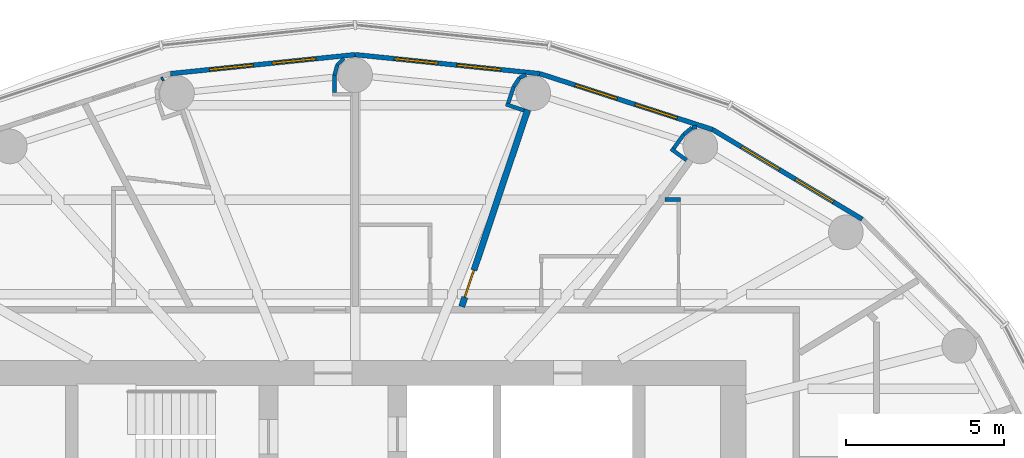
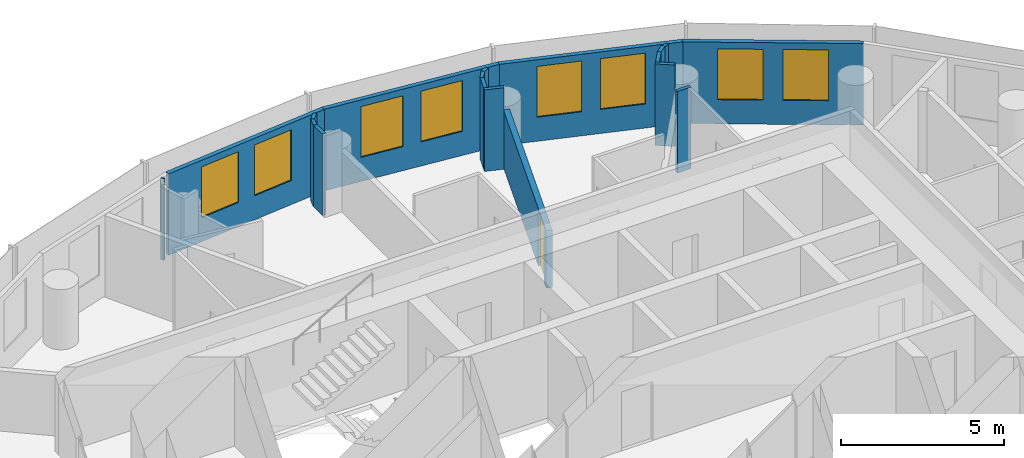
# One storey, part 12 of 14: 18 walls, 8 windows, 1 door, 9 openings.
"""IFC4 building model written with IfcOpenShell, lengths in metres."""

from ifc_helpers import new_model, si_unit, direction, frame, frame_2d, origin, place, context, subcontext, project, spatial, rectangle, extrude, material, layer, layer_set, type_object, element, fill, save


model = new_model("IFC4")

# Units and contexts
model_context = context("Model", 3, precision=1e-05, world=origin(), true_north=direction((0.0, 1.0)))
body_context = subcontext(model_context, "Body", "Model", "MODEL_VIEW")
ifc_project = project(units=[si_unit("LENGTHUNIT", "METRE"), si_unit("AREAUNIT", "SQUARE_METRE"), si_unit("VOLUMEUNIT", "CUBIC_METRE"), si_unit("PLANEANGLEUNIT", "RADIAN"), si_unit("MASSUNIT", "GRAM", prefix="KILO")], contexts=[model_context])

# Site, building, storey
site_placement = place(None, origin())
site = spatial("IfcSite", under=ifc_project, at=site_placement, CompositionType="ELEMENT")
building_placement = place(site_placement, origin())
building = spatial("IfcBuilding", under=site, at=building_placement, Name="Hankou Lantern Tower", CompositionType="ELEMENT")
storey_placement = place(building_placement, frame((0.0, 0.0, 183.0)))
storey = spatial("IfcBuildingStorey", under=building, at=storey_placement, Name="L49", CompositionType="ELEMENT", Elevation=183.0)

# Wall, openings, windows
ifc_material_1 = material(Name="Aluminium spandrel panel on steel studs", Category="steel")
ifc_layer_1 = layer(ifc_material_1, 0.14990234375)
ifc_layer_set_1 = layer_set([ifc_layer_1], Name="Aluminium spandrel panel on steel studs")
wall_type_1 = type_object("IfcWallType", Name="EW1 INNER SKIN WALL 150", PredefinedType="ELEMENTEDWALL", material=ifc_layer_set_1)
wall_1_placement = place(storey_placement, frame((16.0947265625, 12.875732421875, 0.0), z_axis=(0.0, 0.0, 1.0), x_axis=(-0.857695199231, 0.514158482587, 0.0)))
wall_1 = element("IfcWall", 1, at=wall_1_placement, inside=storey, type_object=wall_type_1, Name="Inner skin R04-R05 L49", PredefinedType="ELEMENTEDWALL", context=body_context, shape_type="SweptSolid", body=[
    extrude(rectangle(XDim=5.5361328125, YDim=0.14990234375, at=frame_2d((2.76806640625, 0.0))), origin(), (0.0, 0.0, 1.0), 3.050048828125),
])
opening_1_placement = place(wall_1_placement, frame((1.068115234375, 0.0, 0.89990234375)))
opening_1 = element("IfcOpeningElement", 2, at=opening_1_placement, cuts=wall_1, Name="Opening W3", PredefinedType="OPENING", context=body_context, shape_type="SweptSolid", body=[
    extrude(rectangle(XDim=1.39990234375, YDim=1.89990234375, at=frame_2d((0.699951171875, 0.949951171875))), frame((0.0, 0.0849609375, 0.0), z_axis=(0.0, -1.0, 0.0), x_axis=(1.0, 0.0, 0.0)), (0.0, 0.0, 1.0), 0.169921875),
])
opening_2_placement = place(wall_1_placement, frame((3.068115234375, 0.0, 0.89990234375)))
opening_2 = element("IfcOpeningElement", 3, at=opening_2_placement, cuts=wall_1, Name="Opening W3", PredefinedType="OPENING", context=body_context, shape_type="SweptSolid", body=[
    extrude(rectangle(XDim=1.39990234375, YDim=1.89990234375, at=frame_2d((0.699951171875, 0.949951171875))), frame((0.0, 0.0849609375, 0.0), z_axis=(0.0, -1.0, 0.0), x_axis=(1.0, 0.0, 0.0)), (0.0, 0.0, 1.0), 0.169921875),
])
ifc_material_2 = material(Name="Aluminium framed double glazed window", Category="aluminium")
window_type = type_object("IfcWindowType", Name="W3 GUEST ROOM WINDOW 1400X1900", PartitioningType="DOUBLE_PANEL_VERTICAL", PredefinedType="WINDOW", material=ifc_material_2)
window_1_placement = place(opening_1_placement, origin())
window_1 = element("IfcWindow", 4, at=window_1_placement, inside=storey, type_object=window_type, Name="Window R04.1 L49", OverallHeight=1.89990234375, OverallWidth=1.39990234375, PartitioningType="SINGLE_PANEL", PredefinedType="WINDOW", context=body_context, shape_type="SweptSolid", body=[
    extrude(rectangle(XDim=1.39990234375, YDim=1.89990234375, at=frame_2d((0.699951171875, 0.949951171875))), frame((0.0, 0.030029296875, 0.0), z_axis=(0.0, -1.0, 0.0), x_axis=(1.0, 0.0, 0.0)), (0.0, 0.0, 1.0), 0.06005859375),
])
fill(opening_1, window_1)
window_2_placement = place(opening_2_placement, origin())
window_2 = element("IfcWindow", 5, at=window_2_placement, inside=storey, type_object=window_type, Name="Window R04.2 L49", OverallHeight=1.89990234375, OverallWidth=1.39990234375, PartitioningType="SINGLE_PANEL", PredefinedType="WINDOW", context=body_context, shape_type="SweptSolid", body=[
    extrude(rectangle(XDim=1.39990234375, YDim=1.89990234375, at=frame_2d((0.699951171875, 0.949951171875))), frame((0.0, 0.030029296875, 0.0), z_axis=(0.0, -1.0, 0.0), x_axis=(1.0, 0.0, 0.0)), (0.0, 0.0, 1.0), 0.06005859375),
])
fill(opening_2, window_2)

wall_2_placement = place(storey_placement, frame((11.346435546875, 15.72216796875, 0.0), z_axis=(0.0, 0.0, 1.0), x_axis=(-0.951432482129, 0.307857486429, 0.0)))
wall_2 = element("IfcWall", 6, at=wall_2_placement, inside=storey, type_object=wall_type_1, Name="Inner skin R05-R06 L49", PredefinedType="ELEMENTEDWALL", context=body_context, shape_type="SweptSolid", body=[
    extrude(rectangle(XDim=5.76611328125, YDim=0.14990234375, at=frame_2d((2.883056640625, 0.0))), origin(), (0.0, 0.0, 1.0), 3.050048828125),
])
opening_3_placement = place(wall_2_placement, frame((1.18310546875, 0.0, 0.89990234375)))
opening_3 = element("IfcOpeningElement", 7, at=opening_3_placement, cuts=wall_2, Name="Opening W3", PredefinedType="OPENING", context=body_context, shape_type="SweptSolid", body=[
    extrude(rectangle(XDim=1.39990234375, YDim=1.89990234375, at=frame_2d((0.699951171875, 0.949951171875))), frame((0.0, 0.0849609375, 0.0), z_axis=(0.0, -1.0, 0.0), x_axis=(1.0, 0.0, 0.0)), (0.0, 0.0, 1.0), 0.169921875),
])
opening_4_placement = place(wall_2_placement, frame((3.18310546875, 0.0, 0.89990234375)))
opening_4 = element("IfcOpeningElement", 8, at=opening_4_placement, cuts=wall_2, Name="Opening W3", PredefinedType="OPENING", context=body_context, shape_type="SweptSolid", body=[
    extrude(rectangle(XDim=1.39990234375, YDim=1.89990234375, at=frame_2d((0.699951171875, 0.949951171875))), frame((0.0, 0.0849609375, 0.0), z_axis=(0.0, -1.0, 0.0), x_axis=(1.0, 0.0, 0.0)), (0.0, 0.0, 1.0), 0.169921875),
])
window_3_placement = place(opening_3_placement, origin())
window_3 = element("IfcWindow", 9, at=window_3_placement, inside=storey, type_object=window_type, Name="Window R05.1 L49", OverallHeight=1.89990234375, OverallWidth=1.39990234375, PartitioningType="SINGLE_PANEL", PredefinedType="WINDOW", context=body_context, shape_type="SweptSolid", body=[
    extrude(rectangle(XDim=1.39990234375, YDim=1.89990234375, at=frame_2d((0.699951171875, 0.949951171875))), frame((0.0, 0.030029296875, 0.0), z_axis=(0.0, -1.0, 0.0), x_axis=(1.0, 0.0, 0.0)), (0.0, 0.0, 1.0), 0.06005859375),
])
fill(opening_3, window_3)
window_4_placement = place(opening_4_placement, origin())
window_4 = element("IfcWindow", 10, at=window_4_placement, inside=storey, type_object=window_type, Name="Window R05.2 L49", OverallHeight=1.89990234375, OverallWidth=1.39990234375, PartitioningType="SINGLE_PANEL", PredefinedType="WINDOW", context=body_context, shape_type="SweptSolid", body=[
    extrude(rectangle(XDim=1.39990234375, YDim=1.89990234375, at=frame_2d((0.699951171875, 0.949951171875))), frame((0.0, 0.030029296875, 0.0), z_axis=(0.0, -1.0, 0.0), x_axis=(1.0, 0.0, 0.0)), (0.0, 0.0, 1.0), 0.06005859375),
])
fill(opening_4, window_4)

wall_3_placement = place(storey_placement, frame((5.8603515625, 17.497314453125, 0.0), z_axis=(0.0, 0.0, 1.0), x_axis=(-0.994751738032, 0.102318032045, 0.0)))
wall_3 = element("IfcWall", 11, at=wall_3_placement, inside=storey, type_object=wall_type_1, Name="Inner skin R06-R07 L49", PredefinedType="ELEMENTEDWALL", context=body_context, shape_type="SweptSolid", body=[
    extrude(rectangle(XDim=5.891357421875, YDim=0.14990234375, at=frame_2d((2.94580078125, 0.0))), origin(), (0.0, 0.0, 1.0), 3.050048828125),
])
opening_5_placement = place(wall_3_placement, frame((1.24560546875, 0.0, 0.89990234375)))
opening_5 = element("IfcOpeningElement", 12, at=opening_5_placement, cuts=wall_3, Name="Opening W3", PredefinedType="OPENING", context=body_context, shape_type="SweptSolid", body=[
    extrude(rectangle(XDim=1.39990234375, YDim=1.89990234375, at=frame_2d((0.699951171875, 0.949951171875))), frame((0.0, 0.0849609375, 0.0), z_axis=(0.0, -1.0, 0.0), x_axis=(1.0, 0.0, 0.0)), (0.0, 0.0, 1.0), 0.169921875),
])
opening_6_placement = place(wall_3_placement, frame((3.24560546875, 0.0, 0.89990234375)))
opening_6 = element("IfcOpeningElement", 13, at=opening_6_placement, cuts=wall_3, Name="Opening W3", PredefinedType="OPENING", context=body_context, shape_type="SweptSolid", body=[
    extrude(rectangle(XDim=1.39990234375, YDim=1.89990234375, at=frame_2d((0.699951171875, 0.949951171875))), frame((0.0, 0.0849609375, 0.0), z_axis=(0.0, -1.0, 0.0), x_axis=(1.0, 0.0, 0.0)), (0.0, 0.0, 1.0), 0.169921875),
])
window_5_placement = place(opening_5_placement, origin())
window_5 = element("IfcWindow", 14, at=window_5_placement, inside=storey, type_object=window_type, Name="Window R06.1 L49", OverallHeight=1.89990234375, OverallWidth=1.39990234375, PartitioningType="SINGLE_PANEL", PredefinedType="WINDOW", context=body_context, shape_type="SweptSolid", body=[
    extrude(rectangle(XDim=1.39990234375, YDim=1.89990234375, at=frame_2d((0.699951171875, 0.949951171875))), frame((0.0, 0.030029296875, 0.0), z_axis=(0.0, -1.0, 0.0), x_axis=(1.0, 0.0, 0.0)), (0.0, 0.0, 1.0), 0.06005859375),
])
fill(opening_5, window_5)
window_6_placement = place(opening_6_placement, origin())
window_6 = element("IfcWindow", 15, at=window_6_placement, inside=storey, type_object=window_type, Name="Window R06.2 L49", OverallHeight=1.89990234375, OverallWidth=1.39990234375, PartitioningType="SINGLE_PANEL", PredefinedType="WINDOW", context=body_context, shape_type="SweptSolid", body=[
    extrude(rectangle(XDim=1.39990234375, YDim=1.89990234375, at=frame_2d((0.699951171875, 0.949951171875))), frame((0.0, 0.030029296875, 0.0), z_axis=(0.0, -1.0, 0.0), x_axis=(1.0, 0.0, 0.0)), (0.0, 0.0, 1.0), 0.06005859375),
])
fill(opening_6, window_6)

wall_4_placement = place(storey_placement, frame((0.0, 18.10009765625, 0.0), z_axis=(0.0, 0.0, 1.0), x_axis=(-0.994751738032, -0.102318032045, 0.0)))
wall_4 = element("IfcWall", 16, at=wall_4_placement, inside=storey, type_object=wall_type_1, Name="Inner skin R07-R08 L49", PredefinedType="ELEMENTEDWALL", context=body_context, shape_type="SweptSolid", body=[
    extrude(rectangle(XDim=5.891357421875, YDim=0.14990234375, at=frame_2d((2.94580078125, 0.0))), origin(), (0.0, 0.0, 1.0), 3.050048828125),
])
opening_7_placement = place(wall_4_placement, frame((1.24560546875, 0.0, 0.89990234375)))
opening_7 = element("IfcOpeningElement", 17, at=opening_7_placement, cuts=wall_4, Name="Opening W3", PredefinedType="OPENING", context=body_context, shape_type="SweptSolid", body=[
    extrude(rectangle(XDim=1.39990234375, YDim=1.89990234375, at=frame_2d((0.699951171875, 0.949951171875))), frame((0.0, 0.0849609375, 0.0), z_axis=(0.0, -1.0, 0.0), x_axis=(1.0, 0.0, 0.0)), (0.0, 0.0, 1.0), 0.169921875),
])
opening_8_placement = place(wall_4_placement, frame((3.24560546875, 0.0, 0.89990234375)))
opening_8 = element("IfcOpeningElement", 18, at=opening_8_placement, cuts=wall_4, Name="Opening W3", PredefinedType="OPENING", context=body_context, shape_type="SweptSolid", body=[
    extrude(rectangle(XDim=1.39990234375, YDim=1.89990234375, at=frame_2d((0.699951171875, 0.949951171875))), frame((0.0, 0.0849609375, 0.0), z_axis=(0.0, -1.0, 0.0), x_axis=(1.0, 0.0, 0.0)), (0.0, 0.0, 1.0), 0.169921875),
])
window_7_placement = place(opening_7_placement, origin())
window_7 = element("IfcWindow", 19, at=window_7_placement, inside=storey, type_object=window_type, Name="Window R07.1 L49", OverallHeight=1.89990234375, OverallWidth=1.39990234375, PartitioningType="SINGLE_PANEL", PredefinedType="WINDOW", context=body_context, shape_type="SweptSolid", body=[
    extrude(rectangle(XDim=1.39990234375, YDim=1.89990234375, at=frame_2d((0.699951171875, 0.949951171875))), frame((0.0, 0.030029296875, 0.0), z_axis=(0.0, -1.0, 0.0), x_axis=(1.0, 0.0, 0.0)), (0.0, 0.0, 1.0), 0.06005859375),
])
fill(opening_7, window_7)
window_8_placement = place(opening_8_placement, origin())
window_8 = element("IfcWindow", 20, at=window_8_placement, inside=storey, type_object=window_type, Name="Window R07.2 L49", OverallHeight=1.89990234375, OverallWidth=1.39990234375, PartitioningType="SINGLE_PANEL", PredefinedType="WINDOW", context=body_context, shape_type="SweptSolid", body=[
    extrude(rectangle(XDim=1.39990234375, YDim=1.89990234375, at=frame_2d((0.699951171875, 0.949951171875))), frame((0.0, 0.030029296875, 0.0), z_axis=(0.0, -1.0, 0.0), x_axis=(1.0, 0.0, 0.0)), (0.0, 0.0, 1.0), 0.06005859375),
])
fill(opening_8, window_8)

# Walls
ifc_material_3 = material(Name="Masonry lightweight concrete block", Category="masonry")
ifc_layer_2 = layer(ifc_material_3, 0.1201171875)
ifc_layer_set_2 = layer_set([ifc_layer_2], Name="Masonry lightweight concrete block")
wall_type_2 = type_object("IfcWallType", Name="IW3 BATHROOM WALL 120", PredefinedType="PARTITIONING", material=ifc_layer_set_2)
wall_5_placement = place(storey_placement, frame((9.8427734375, 13.5, 0.0), z_axis=(0.0, 0.0, 1.0), x_axis=(1.0, 0.0, 0.0)))
element("IfcWall", 21, at=wall_5_placement, inside=storey, type_object=wall_type_2, Name="Box wall 4906 1", PredefinedType="PARTITIONING", context=body_context, shape_type="SweptSolid", body=[
    extrude(rectangle(XDim=0.486328125, YDim=0.1201171875, at=frame_2d((0.2431640625, 0.0))), origin(), (0.0, 0.0, 1.0), 3.050048828125),
])
wall_6_placement = place(storey_placement, frame((-6.1416015625, 17.3095703125, 0.0), z_axis=(0.0, 0.0, 1.0), x_axis=(0.835039693181, 0.550189704386, 0.0)))
element("IfcWall", 22, at=wall_6_placement, inside=storey, type_object=wall_type_2, Name="Column casing 4908", PredefinedType="PARTITIONING", context=body_context, shape_type="SweptSolid", body=[
    extrude(rectangle(XDim=0.0625, YDim=0.1201171875, at=frame_2d((0.03125, 0.0))), origin(), (0.0, 0.0, 1.0), 3.050048828125),
])
ifc_material_4 = material(Name="Masonry lightweight concrete block", Category="masonry")
ifc_layer_3 = layer(ifc_material_4, 0.1201171875)
ifc_layer_set_3 = layer_set([ifc_layer_3], Name="Masonry lightweight concrete block")
wall_type_3 = type_object("IfcWallType", Name="IW4 PARTITION 120", PredefinedType="PARTITIONING", material=ifc_layer_set_3)
wall_7_placement = place(storey_placement, frame((10.521728515625, 14.750244140625, 0.0), z_axis=(0.0, 0.0, 1.0), x_axis=(-0.811057588427, 0.584966313777, 0.0)))
element("IfcWall", 23, at=wall_7_placement, inside=storey, type_object=wall_type_3, Name="Column casing R05 return", PredefinedType="PARTITIONING", context=body_context, shape_type="SweptSolid", body=[
    extrude(rectangle(XDim=0.6123046875, YDim=0.1201171875, at=frame_2d((0.30615234375, 0.0))), origin(), (0.0, 0.0, 1.0), 3.050048828125),
])
wall_8_placement = place(storey_placement, frame((10.10888671875, 15.121826171875, 0.0), z_axis=(0.0, 0.0, 1.0), x_axis=(0.585344718358, 0.810784534072, 0.0)))
element("IfcWall", 24, at=wall_8_placement, inside=storey, type_object=wall_type_3, Name="Column casing R05", PredefinedType="PARTITIONING", context=body_context, shape_type="SweptSolid", body=[
    extrude(rectangle(XDim=0.550048828125, YDim=0.1201171875, at=frame_2d((0.27490234375, 0.0))), origin(), (0.0, 0.0, 1.0), 3.050048828125),
])
wall_9_placement = place(storey_placement, frame((10.430908203125, 15.56787109375, 0.0), z_axis=(0.0, 0.0, 1.0), x_axis=(0.77505137267, 0.631898227345, 0.0)))
element("IfcWall", 25, at=wall_9_placement, inside=storey, type_object=wall_type_3, Name="Column casing R05", PredefinedType="PARTITIONING", context=body_context, shape_type="SweptSolid", body=[
    extrude(rectangle(XDim=0.337646484375, YDim=0.1201171875, at=frame_2d((0.1689453125, 0.0))), origin(), (0.0, 0.0, 1.0), 3.050048828125),
])
wall_10_placement = place(storey_placement, frame((10.692626953125, 15.78125, 0.0), z_axis=(0.0, 0.0, 1.0), x_axis=(0.987256785332, 0.159135287777, 0.0)))
element("IfcWall", 26, at=wall_10_placement, inside=storey, type_object=wall_type_3, Name="Column casing R05", PredefinedType="PARTITIONING", context=body_context, shape_type="SweptSolid", body=[
    extrude(rectangle(XDim=0.157958984375, YDim=0.1201171875, at=frame_2d((0.0791015625, 0.0))), origin(), (0.0, 0.0, 1.0), 3.050048828125),
])
wall_11_placement = place(storey_placement, frame((5.3642578125, 16.330810546875, 0.0), z_axis=(0.0, 0.0, 1.0), x_axis=(-0.948283770087, 0.317423835572, 0.0)))
element("IfcWall", 27, at=wall_11_placement, inside=storey, type_object=wall_type_3, Name="Column casing R06 return", PredefinedType="PARTITIONING", context=body_context, shape_type="SweptSolid", body=[
    extrude(rectangle(XDim=0.6123046875, YDim=0.1201171875, at=frame_2d((0.30615234375, 0.0))), origin(), (0.0, 0.0, 1.0), 3.050048828125),
])
wall_12_placement = place(storey_placement, frame((4.859619140625, 16.56298828125, 0.0), z_axis=(0.0, 0.0, 1.0), x_axis=(0.317825321803, 0.948149284038, 0.0)))
element("IfcWall", 28, at=wall_12_placement, inside=storey, type_object=wall_type_3, Name="Column casing R06", PredefinedType="PARTITIONING", context=body_context, shape_type="SweptSolid", body=[
    extrude(rectangle(XDim=0.550048828125, YDim=0.1201171875, at=frame_2d((0.27490234375, 0.0))), origin(), (0.0, 0.0, 1.0), 3.050048828125),
])
wall_13_placement = place(storey_placement, frame((5.034423828125, 17.08447265625, 0.0), z_axis=(0.0, 0.0, 1.0), x_axis=(0.552362205726, 0.833604218851, 0.0)))
element("IfcWall", 29, at=wall_13_placement, inside=storey, type_object=wall_type_3, Name="Column casing R06", PredefinedType="PARTITIONING", context=body_context, shape_type="SweptSolid", body=[
    extrude(rectangle(XDim=0.337646484375, YDim=0.1201171875, at=frame_2d((0.1689453125, 0.0))), origin(), (0.0, 0.0, 1.0), 3.050048828125),
])
wall_14_placement = place(storey_placement, frame((5.220947265625, 17.365966796875, 0.0), z_axis=(0.0, 0.0, 1.0), x_axis=(0.895067896179, 0.445929883759, 0.0)))
element("IfcWall", 30, at=wall_14_placement, inside=storey, type_object=wall_type_3, Name="Column casing R06", PredefinedType="PARTITIONING", context=body_context, shape_type="SweptSolid", body=[
    extrude(rectangle(XDim=0.228271484375, YDim=0.1201171875, at=frame_2d((0.1142578125, 0.0))), origin(), (0.0, 0.0, 1.0), 3.050048828125),
])
wall_15_placement = place(storey_placement, frame((-0.65234375, 16.89990234375, 0.0), z_axis=(0.0, 0.0, 1.0), x_axis=(0.0, 1.0, 0.0)))
element("IfcWall", 31, at=wall_15_placement, inside=storey, type_object=wall_type_3, Name="Column casing R07", PredefinedType="PARTITIONING", context=body_context, shape_type="SweptSolid", body=[
    extrude(rectangle(XDim=0.550048828125, YDim=0.1201171875, at=frame_2d((0.27490234375, 0.0))), origin(), (0.0, 0.0, 1.0), 3.050048828125),
])
wall_16_placement = place(storey_placement, frame((-0.65234375, 17.449951171875, 0.0), z_axis=(0.0, 0.0, 1.0), x_axis=(0.258832454679, 0.965922233104, 0.0)))
element("IfcWall", 32, at=wall_16_placement, inside=storey, type_object=wall_type_3, Name="Column casing R07", PredefinedType="PARTITIONING", context=body_context, shape_type="SweptSolid", body=[
    extrude(rectangle(XDim=0.337646484375, YDim=0.1201171875, at=frame_2d((0.1689453125, 0.0))), origin(), (0.0, 0.0, 1.0), 3.050048828125),
])
wall_17_placement = place(storey_placement, frame((-0.56494140625, 17.776123046875, 0.0), z_axis=(0.0, 0.0, 1.0), x_axis=(0.707106781187, 0.707106781187, 0.0)))
element("IfcWall", 33, at=wall_17_placement, inside=storey, type_object=wall_type_3, Name="Column casing R07", PredefinedType="PARTITIONING", context=body_context, shape_type="SweptSolid", body=[
    extrude(rectangle(XDim=0.30078125, YDim=0.1201171875, at=frame_2d((0.150390625, 0.0))), origin(), (0.0, 0.0, 1.0), 3.050048828125),
])

# Wall, opening, door
ifc_material_5 = material(Name="Masonry lightweight concrete block", Category="masonry")
ifc_layer_4 = layer(ifc_material_5, 0.199951171875)
ifc_layer_set_4 = layer_set([ifc_layer_4], Name="Masonry lightweight concrete block")
wall_type_4 = type_object("IfcWallType", Name="IW6 SUITE PARTITION 200", PredefinedType="PARTITIONING", material=ifc_layer_set_4)
wall_18_placement = place(storey_placement, frame((3.3828125, 10.10009765625, 0.0), z_axis=(0.0, 0.0, 1.0), x_axis=(0.317615120474, 0.948219718866, 0.0)))
wall_18 = element("IfcWall", 34, at=wall_18_placement, inside=storey, type_object=wall_type_4, Name="Suite partition R06", PredefinedType="PARTITIONING", context=body_context, shape_type="SweptSolid", body=[
    extrude(rectangle(XDim=6.597412109375, YDim=0.199951171875, at=frame_2d((3.298828125, 0.0))), origin(), (0.0, 0.0, 1.0), 2.14990234375),
])
opening_9_placement = place(wall_18_placement, frame((0.320068359375, 0.0, 0.0)))
opening_9 = element("IfcOpeningElement", 35, at=opening_9_placement, cuts=wall_18, Name="Opening D27", PredefinedType="OPENING", context=body_context, shape_type="SweptSolid", body=[
    extrude(rectangle(XDim=0.89990234375, YDim=2.10009765625, at=frame_2d((0.449951171875, 1.050048828125))), frame((0.0, 0.10986328125, 0.0), z_axis=(0.0, -1.0, 0.0), x_axis=(1.0, 0.0, 0.0)), (0.0, 0.0, 1.0), 0.219970703125),
])
ifc_material_6 = material(Name="Timber door leaf", Category="wood")
door_type = type_object("IfcDoorType", Name="D27 INTERNAL DOOR 900X2100", OperationType="SINGLE_SWING_LEFT", PredefinedType="DOOR", material=ifc_material_6)
door_placement = place(opening_9_placement, origin())
door = element("IfcDoor", 36, at=door_placement, inside=storey, type_object=door_type, Name="Suite 4907 bedroom door", OperationType="SINGLE_SWING_LEFT", OverallHeight=2.10009765625, OverallWidth=0.89990234375, PredefinedType="DOOR", context=body_context, shape_type="SweptSolid", body=[
    extrude(rectangle(XDim=0.89990234375, YDim=2.10009765625, at=frame_2d((0.449951171875, 1.050048828125))), frame((0.0, 0.02490234375, 0.0), z_axis=(0.0, -1.0, 0.0), x_axis=(1.0, 0.0, 0.0)), (0.0, 0.0, 1.0), 0.050048828125),
])
fill(opening_9, door)

save(model, "model.ifc")
